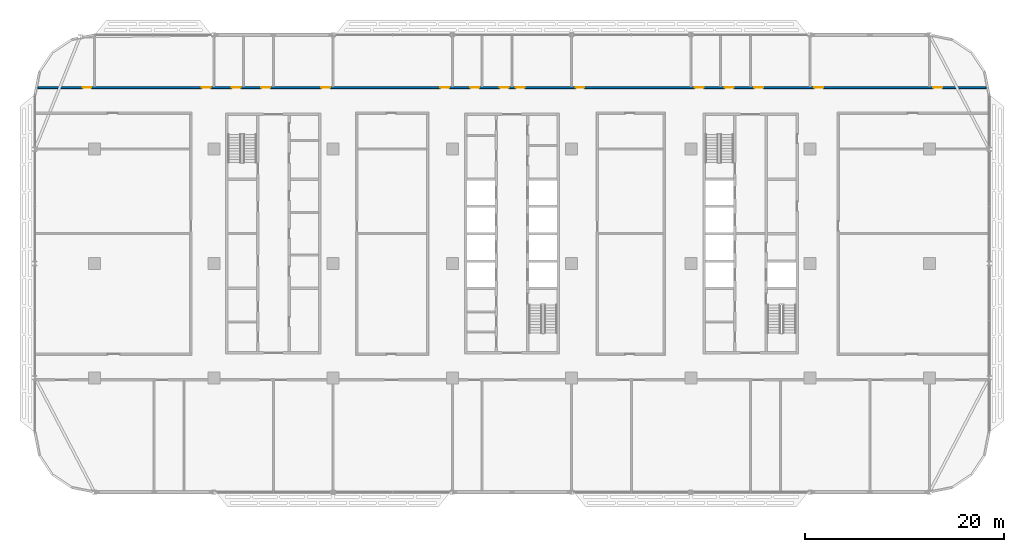
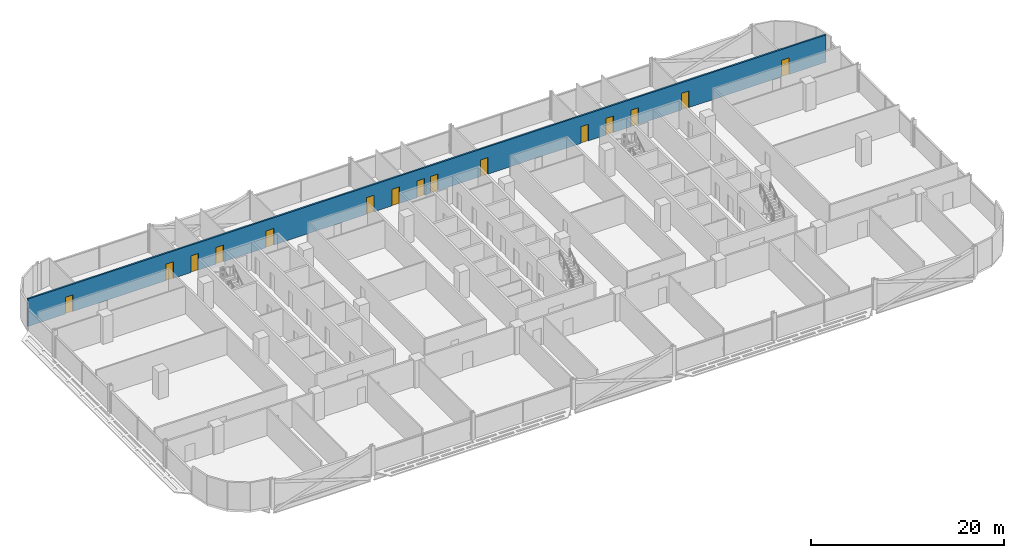
# One storey, part 14 of 27: 15 doors, 1 wall, 15 openings.
"""IFC4 building model written with IfcOpenShell, lengths in metres."""

from ifc_helpers import new_model, si_unit, direction, frame, frame_2d, origin, place, context, subcontext, project, spatial, rectangle, extrude, material, layer, layer_set, type_object, element, fill, save


model = new_model("IFC4")

# Units and contexts
model_context = context("Model", 3, precision=1e-05, world=origin(), true_north=direction((0.0, 1.0)))
body_context = subcontext(model_context, "Body", "Model", "MODEL_VIEW")
ifc_project = project(units=[si_unit("LENGTHUNIT", "METRE"), si_unit("AREAUNIT", "SQUARE_METRE"), si_unit("VOLUMEUNIT", "CUBIC_METRE"), si_unit("PLANEANGLEUNIT", "RADIAN"), si_unit("MASSUNIT", "GRAM", prefix="KILO")], contexts=[model_context])

# Site, building, storey
site_placement = place(None, origin())
site = spatial("IfcSite", under=ifc_project, at=site_placement, CompositionType="ELEMENT")
building_placement = place(site_placement, origin())
building = spatial("IfcBuilding", under=site, at=building_placement, Name="Mahtab Terrace Research Tower", CompositionType="ELEMENT")
storey_placement = place(building_placement, frame((0.0, 0.0, 163.0)))
storey = spatial("IfcBuildingStorey", under=building, at=storey_placement, Name="L38", CompositionType="ELEMENT", Elevation=163.0)

# Wall, openings, doors
ifc_material_1 = material(Name="Gypsum board corridor wall on steel studs", Category="steel")
ifc_layer = layer(ifc_material_1, 0.199951171875)
ifc_layer_set = layer_set([ifc_layer], Name="WALL CORRIDOR 200")
wall_type = type_object("IfcWallType", Name="WALL CORRIDOR 200", PredefinedType="PARTITIONING", material=ifc_layer_set)
wall_placement = place(storey_placement, frame((-47.707763671875, 17.699951171875, 0.0), z_axis=(0.0, 0.0, 1.0), x_axis=(1.0, 0.0, 0.0)))
wall = element("IfcWall", 1, at=wall_placement, inside=storey, type_object=wall_type, Name="L38-W028", PredefinedType="PARTITIONING", context=body_context, shape_type="SweptSolid", body=[
    extrude(rectangle(XDim=95.41552734375, YDim=0.199951171875, at=frame_2d((47.707763671875, 0.0))), origin(), (0.0, 0.0, 1.0), 3.4599609375),
])
opening_1_placement = place(wall_placement, frame((4.5, 0.0, 0.0)))
opening_1 = element("IfcOpeningElement", 2, at=opening_1_placement, cuts=wall, Name="Opening L38-126", PredefinedType="OPENING", context=body_context, shape_type="SweptSolid", body=[
    extrude(rectangle(XDim=0.89990234375, YDim=2.10009765625, at=frame_2d((0.449951171875, 1.050048828125))), frame((0.0, 0.10986328125, 0.0), z_axis=(0.0, -1.0, 0.0), x_axis=(1.0, 0.0, 0.0)), (0.0, 0.0, 1.0), 0.219970703125),
])
opening_2_placement = place(wall_placement, frame((16.5, 0.0, 0.0)))
opening_2 = element("IfcOpeningElement", 3, at=opening_2_placement, cuts=wall, Name="Opening L38-127", PredefinedType="OPENING", context=body_context, shape_type="SweptSolid", body=[
    extrude(rectangle(XDim=0.89990234375, YDim=2.10009765625, at=frame_2d((0.449951171875, 1.050048828125))), frame((0.0, 0.10986328125, 0.0), z_axis=(0.0, -1.0, 0.0), x_axis=(1.0, 0.0, 0.0)), (0.0, 0.0, 1.0), 0.219970703125),
])
opening_3_placement = place(wall_placement, frame((19.5, 0.0, 0.0)))
opening_3 = element("IfcOpeningElement", 4, at=opening_3_placement, cuts=wall, Name="Opening L38-128", PredefinedType="OPENING", context=body_context, shape_type="SweptSolid", body=[
    extrude(rectangle(XDim=0.89990234375, YDim=2.10009765625, at=frame_2d((0.449951171875, 1.050048828125))), frame((0.0, 0.10986328125, 0.0), z_axis=(0.0, -1.0, 0.0), x_axis=(1.0, 0.0, 0.0)), (0.0, 0.0, 1.0), 0.219970703125),
])
opening_4_placement = place(wall_placement, frame((22.5, 0.0, 0.0)))
opening_4 = element("IfcOpeningElement", 5, at=opening_4_placement, cuts=wall, Name="Opening L38-129", PredefinedType="OPENING", context=body_context, shape_type="SweptSolid", body=[
    extrude(rectangle(XDim=0.89990234375, YDim=2.10009765625, at=frame_2d((0.449951171875, 1.050048828125))), frame((0.0, 0.10986328125, 0.0), z_axis=(0.0, -1.0, 0.0), x_axis=(1.0, 0.0, 0.0)), (0.0, 0.0, 1.0), 0.219970703125),
])
opening_5_placement = place(wall_placement, frame((28.5, 0.0, 0.0)))
opening_5 = element("IfcOpeningElement", 6, at=opening_5_placement, cuts=wall, Name="Opening L38-130", PredefinedType="OPENING", context=body_context, shape_type="SweptSolid", body=[
    extrude(rectangle(XDim=0.89990234375, YDim=2.10009765625, at=frame_2d((0.449951171875, 1.050048828125))), frame((0.0, 0.10986328125, 0.0), z_axis=(0.0, -1.0, 0.0), x_axis=(1.0, 0.0, 0.0)), (0.0, 0.0, 1.0), 0.219970703125),
])
opening_6_placement = place(wall_placement, frame((40.5, 0.0, 0.0)))
opening_6 = element("IfcOpeningElement", 7, at=opening_6_placement, cuts=wall, Name="Opening L38-131", PredefinedType="OPENING", context=body_context, shape_type="SweptSolid", body=[
    extrude(rectangle(XDim=0.89990234375, YDim=2.10009765625, at=frame_2d((0.449951171875, 1.050048828125))), frame((0.0, 0.10986328125, 0.0), z_axis=(0.0, -1.0, 0.0), x_axis=(1.0, 0.0, 0.0)), (0.0, 0.0, 1.0), 0.219970703125),
])
opening_7_placement = place(wall_placement, frame((43.5, 0.0, 0.0)))
opening_7 = element("IfcOpeningElement", 8, at=opening_7_placement, cuts=wall, Name="Opening L38-132", PredefinedType="OPENING", context=body_context, shape_type="SweptSolid", body=[
    extrude(rectangle(XDim=0.89990234375, YDim=2.10009765625, at=frame_2d((0.449951171875, 1.050048828125))), frame((0.0, 0.10986328125, 0.0), z_axis=(0.0, -1.0, 0.0), x_axis=(1.0, 0.0, 0.0)), (0.0, 0.0, 1.0), 0.219970703125),
])
opening_8_placement = place(wall_placement, frame((46.5, 0.0, 0.0)))
opening_8 = element("IfcOpeningElement", 9, at=opening_8_placement, cuts=wall, Name="Opening L38-133", PredefinedType="OPENING", context=body_context, shape_type="SweptSolid", body=[
    extrude(rectangle(XDim=0.89990234375, YDim=2.10009765625, at=frame_2d((0.449951171875, 1.050048828125))), frame((0.0, 0.10986328125, 0.0), z_axis=(0.0, -1.0, 0.0), x_axis=(1.0, 0.0, 0.0)), (0.0, 0.0, 1.0), 0.219970703125),
])
opening_9_placement = place(wall_placement, frame((48.10009765625, 0.0, 0.0)))
opening_9 = element("IfcOpeningElement", 10, at=opening_9_placement, cuts=wall, Name="Opening L38-134", PredefinedType="OPENING", context=body_context, shape_type="SweptSolid", body=[
    extrude(rectangle(XDim=0.89990234375, YDim=2.10009765625, at=frame_2d((0.449951171875, 1.050048828125))), frame((0.0, 0.10986328125, 0.0), z_axis=(0.0, -1.0, 0.0), x_axis=(1.0, 0.0, 0.0)), (0.0, 0.0, 1.0), 0.219970703125),
])
opening_10_placement = place(wall_placement, frame((54.10009765625, 0.0, 0.0)))
opening_10 = element("IfcOpeningElement", 11, at=opening_10_placement, cuts=wall, Name="Opening L38-135", PredefinedType="OPENING", context=body_context, shape_type="SweptSolid", body=[
    extrude(rectangle(XDim=0.89990234375, YDim=2.10009765625, at=frame_2d((0.449951171875, 1.050048828125))), frame((0.0, 0.10986328125, 0.0), z_axis=(0.0, -1.0, 0.0), x_axis=(1.0, 0.0, 0.0)), (0.0, 0.0, 1.0), 0.219970703125),
])
opening_11_placement = place(wall_placement, frame((66.10009765625, 0.0, 0.0)))
opening_11 = element("IfcOpeningElement", 12, at=opening_11_placement, cuts=wall, Name="Opening L38-136", PredefinedType="OPENING", context=body_context, shape_type="SweptSolid", body=[
    extrude(rectangle(XDim=0.89990234375, YDim=2.10009765625, at=frame_2d((0.449951171875, 1.050048828125))), frame((0.0, 0.10986328125, 0.0), z_axis=(0.0, -1.0, 0.0), x_axis=(1.0, 0.0, 0.0)), (0.0, 0.0, 1.0), 0.219970703125),
])
opening_12_placement = place(wall_placement, frame((69.10009765625, 0.0, 0.0)))
opening_12 = element("IfcOpeningElement", 13, at=opening_12_placement, cuts=wall, Name="Opening L38-137", PredefinedType="OPENING", context=body_context, shape_type="SweptSolid", body=[
    extrude(rectangle(XDim=0.89990234375, YDim=2.10009765625, at=frame_2d((0.449951171875, 1.050048828125))), frame((0.0, 0.10986328125, 0.0), z_axis=(0.0, -1.0, 0.0), x_axis=(1.0, 0.0, 0.0)), (0.0, 0.0, 1.0), 0.219970703125),
])
opening_13_placement = place(wall_placement, frame((72.10009765625, 0.0, 0.0)))
opening_13 = element("IfcOpeningElement", 14, at=opening_13_placement, cuts=wall, Name="Opening L38-138", PredefinedType="OPENING", context=body_context, shape_type="SweptSolid", body=[
    extrude(rectangle(XDim=0.89990234375, YDim=2.10009765625, at=frame_2d((0.449951171875, 1.050048828125))), frame((0.0, 0.10986328125, 0.0), z_axis=(0.0, -1.0, 0.0), x_axis=(1.0, 0.0, 0.0)), (0.0, 0.0, 1.0), 0.219970703125),
])
opening_14_placement = place(wall_placement, frame((78.10009765625, 0.0, 0.0)))
opening_14 = element("IfcOpeningElement", 15, at=opening_14_placement, cuts=wall, Name="Opening L38-139", PredefinedType="OPENING", context=body_context, shape_type="SweptSolid", body=[
    extrude(rectangle(XDim=0.89990234375, YDim=2.10009765625, at=frame_2d((0.449951171875, 1.050048828125))), frame((0.0, 0.10986328125, 0.0), z_axis=(0.0, -1.0, 0.0), x_axis=(1.0, 0.0, 0.0)), (0.0, 0.0, 1.0), 0.219970703125),
])
opening_15_placement = place(wall_placement, frame((90.10009765625, 0.0, 0.0)))
opening_15 = element("IfcOpeningElement", 16, at=opening_15_placement, cuts=wall, Name="Opening L38-140", PredefinedType="OPENING", context=body_context, shape_type="SweptSolid", body=[
    extrude(rectangle(XDim=0.89990234375, YDim=2.10009765625, at=frame_2d((0.449951171875, 1.050048828125))), frame((0.0, 0.10986328125, 0.0), z_axis=(0.0, -1.0, 0.0), x_axis=(1.0, 0.0, 0.0)), (0.0, 0.0, 1.0), 0.219970703125),
])
ifc_material_2 = material(Name="Timber door leaf in steel frame", Category="steel")
door_type = type_object("IfcDoorType", Name="DOOR 0900X2100 FD30S", OperationType="SINGLE_SWING_LEFT", PredefinedType="DOOR", material=ifc_material_2)
door_1_placement = place(opening_1_placement, origin())
door_1 = element("IfcDoor", 17, at=door_1_placement, inside=storey, type_object=door_type, Name="Door L38-126", OperationType="SINGLE_SWING_LEFT", OverallHeight=2.10009765625, OverallWidth=0.89990234375, PredefinedType="DOOR", context=body_context, shape_type="SweptSolid", body=[
    extrude(rectangle(XDim=0.89990234375, YDim=2.10009765625, at=frame_2d((0.449951171875, 1.050048828125))), frame((0.0, 0.02490234375, 0.0), z_axis=(0.0, -1.0, 0.0), x_axis=(1.0, 0.0, 0.0)), (0.0, 0.0, 1.0), 0.050048828125),
])
fill(opening_1, door_1)
door_2_placement = place(opening_2_placement, origin())
door_2 = element("IfcDoor", 18, at=door_2_placement, inside=storey, type_object=door_type, Name="Door L38-127", OperationType="SINGLE_SWING_LEFT", OverallHeight=2.10009765625, OverallWidth=0.89990234375, PredefinedType="DOOR", context=body_context, shape_type="SweptSolid", body=[
    extrude(rectangle(XDim=0.89990234375, YDim=2.10009765625, at=frame_2d((0.449951171875, 1.050048828125))), frame((0.0, 0.02490234375, 0.0), z_axis=(0.0, -1.0, 0.0), x_axis=(1.0, 0.0, 0.0)), (0.0, 0.0, 1.0), 0.050048828125),
])
fill(opening_2, door_2)
door_3_placement = place(opening_3_placement, origin())
door_3 = element("IfcDoor", 19, at=door_3_placement, inside=storey, type_object=door_type, Name="Door L38-128", OperationType="SINGLE_SWING_LEFT", OverallHeight=2.10009765625, OverallWidth=0.89990234375, PredefinedType="DOOR", context=body_context, shape_type="SweptSolid", body=[
    extrude(rectangle(XDim=0.89990234375, YDim=2.10009765625, at=frame_2d((0.449951171875, 1.050048828125))), frame((0.0, 0.02490234375, 0.0), z_axis=(0.0, -1.0, 0.0), x_axis=(1.0, 0.0, 0.0)), (0.0, 0.0, 1.0), 0.050048828125),
])
fill(opening_3, door_3)
door_4_placement = place(opening_4_placement, origin())
door_4 = element("IfcDoor", 20, at=door_4_placement, inside=storey, type_object=door_type, Name="Door L38-129", OperationType="SINGLE_SWING_LEFT", OverallHeight=2.10009765625, OverallWidth=0.89990234375, PredefinedType="DOOR", context=body_context, shape_type="SweptSolid", body=[
    extrude(rectangle(XDim=0.89990234375, YDim=2.10009765625, at=frame_2d((0.449951171875, 1.050048828125))), frame((0.0, 0.02490234375, 0.0), z_axis=(0.0, -1.0, 0.0), x_axis=(1.0, 0.0, 0.0)), (0.0, 0.0, 1.0), 0.050048828125),
])
fill(opening_4, door_4)
door_5_placement = place(opening_5_placement, origin())
door_5 = element("IfcDoor", 21, at=door_5_placement, inside=storey, type_object=door_type, Name="Door L38-130", OperationType="SINGLE_SWING_LEFT", OverallHeight=2.10009765625, OverallWidth=0.89990234375, PredefinedType="DOOR", context=body_context, shape_type="SweptSolid", body=[
    extrude(rectangle(XDim=0.89990234375, YDim=2.10009765625, at=frame_2d((0.449951171875, 1.050048828125))), frame((0.0, 0.02490234375, 0.0), z_axis=(0.0, -1.0, 0.0), x_axis=(1.0, 0.0, 0.0)), (0.0, 0.0, 1.0), 0.050048828125),
])
fill(opening_5, door_5)
door_6_placement = place(opening_6_placement, origin())
door_6 = element("IfcDoor", 22, at=door_6_placement, inside=storey, type_object=door_type, Name="Door L38-131", OperationType="SINGLE_SWING_LEFT", OverallHeight=2.10009765625, OverallWidth=0.89990234375, PredefinedType="DOOR", context=body_context, shape_type="SweptSolid", body=[
    extrude(rectangle(XDim=0.89990234375, YDim=2.10009765625, at=frame_2d((0.449951171875, 1.050048828125))), frame((0.0, 0.02490234375, 0.0), z_axis=(0.0, -1.0, 0.0), x_axis=(1.0, 0.0, 0.0)), (0.0, 0.0, 1.0), 0.050048828125),
])
fill(opening_6, door_6)
door_7_placement = place(opening_7_placement, origin())
door_7 = element("IfcDoor", 23, at=door_7_placement, inside=storey, type_object=door_type, Name="Door L38-132", OperationType="SINGLE_SWING_LEFT", OverallHeight=2.10009765625, OverallWidth=0.89990234375, PredefinedType="DOOR", context=body_context, shape_type="SweptSolid", body=[
    extrude(rectangle(XDim=0.89990234375, YDim=2.10009765625, at=frame_2d((0.449951171875, 1.050048828125))), frame((0.0, 0.02490234375, 0.0), z_axis=(0.0, -1.0, 0.0), x_axis=(1.0, 0.0, 0.0)), (0.0, 0.0, 1.0), 0.050048828125),
])
fill(opening_7, door_7)
door_8_placement = place(opening_8_placement, origin())
door_8 = element("IfcDoor", 24, at=door_8_placement, inside=storey, type_object=door_type, Name="Door L38-133", OperationType="SINGLE_SWING_LEFT", OverallHeight=2.10009765625, OverallWidth=0.89990234375, PredefinedType="DOOR", context=body_context, shape_type="SweptSolid", body=[
    extrude(rectangle(XDim=0.89990234375, YDim=2.10009765625, at=frame_2d((0.449951171875, 1.050048828125))), frame((0.0, 0.02490234375, 0.0), z_axis=(0.0, -1.0, 0.0), x_axis=(1.0, 0.0, 0.0)), (0.0, 0.0, 1.0), 0.050048828125),
])
fill(opening_8, door_8)
door_9_placement = place(opening_9_placement, origin())
door_9 = element("IfcDoor", 25, at=door_9_placement, inside=storey, type_object=door_type, Name="Door L38-134", OperationType="SINGLE_SWING_RIGHT", OverallHeight=2.10009765625, OverallWidth=0.89990234375, PredefinedType="DOOR", context=body_context, shape_type="SweptSolid", body=[
    extrude(rectangle(XDim=0.89990234375, YDim=2.10009765625, at=frame_2d((0.449951171875, 1.050048828125))), frame((0.0, 0.02490234375, 0.0), z_axis=(0.0, -1.0, 0.0), x_axis=(1.0, 0.0, 0.0)), (0.0, 0.0, 1.0), 0.050048828125),
])
fill(opening_9, door_9)
door_10_placement = place(opening_10_placement, origin())
door_10 = element("IfcDoor", 26, at=door_10_placement, inside=storey, type_object=door_type, Name="Door L38-135", OperationType="SINGLE_SWING_RIGHT", OverallHeight=2.10009765625, OverallWidth=0.89990234375, PredefinedType="DOOR", context=body_context, shape_type="SweptSolid", body=[
    extrude(rectangle(XDim=0.89990234375, YDim=2.10009765625, at=frame_2d((0.449951171875, 1.050048828125))), frame((0.0, 0.02490234375, 0.0), z_axis=(0.0, -1.0, 0.0), x_axis=(1.0, 0.0, 0.0)), (0.0, 0.0, 1.0), 0.050048828125),
])
fill(opening_10, door_10)
door_11_placement = place(opening_11_placement, origin())
door_11 = element("IfcDoor", 27, at=door_11_placement, inside=storey, type_object=door_type, Name="Door L38-136", OperationType="SINGLE_SWING_RIGHT", OverallHeight=2.10009765625, OverallWidth=0.89990234375, PredefinedType="DOOR", context=body_context, shape_type="SweptSolid", body=[
    extrude(rectangle(XDim=0.89990234375, YDim=2.10009765625, at=frame_2d((0.449951171875, 1.050048828125))), frame((0.0, 0.02490234375, 0.0), z_axis=(0.0, -1.0, 0.0), x_axis=(1.0, 0.0, 0.0)), (0.0, 0.0, 1.0), 0.050048828125),
])
fill(opening_11, door_11)
door_12_placement = place(opening_12_placement, origin())
door_12 = element("IfcDoor", 28, at=door_12_placement, inside=storey, type_object=door_type, Name="Door L38-137", OperationType="SINGLE_SWING_RIGHT", OverallHeight=2.10009765625, OverallWidth=0.89990234375, PredefinedType="DOOR", context=body_context, shape_type="SweptSolid", body=[
    extrude(rectangle(XDim=0.89990234375, YDim=2.10009765625, at=frame_2d((0.449951171875, 1.050048828125))), frame((0.0, 0.02490234375, 0.0), z_axis=(0.0, -1.0, 0.0), x_axis=(1.0, 0.0, 0.0)), (0.0, 0.0, 1.0), 0.050048828125),
])
fill(opening_12, door_12)
door_13_placement = place(opening_13_placement, origin())
door_13 = element("IfcDoor", 29, at=door_13_placement, inside=storey, type_object=door_type, Name="Door L38-138", OperationType="SINGLE_SWING_RIGHT", OverallHeight=2.10009765625, OverallWidth=0.89990234375, PredefinedType="DOOR", context=body_context, shape_type="SweptSolid", body=[
    extrude(rectangle(XDim=0.89990234375, YDim=2.10009765625, at=frame_2d((0.449951171875, 1.050048828125))), frame((0.0, 0.02490234375, 0.0), z_axis=(0.0, -1.0, 0.0), x_axis=(1.0, 0.0, 0.0)), (0.0, 0.0, 1.0), 0.050048828125),
])
fill(opening_13, door_13)
door_14_placement = place(opening_14_placement, origin())
door_14 = element("IfcDoor", 30, at=door_14_placement, inside=storey, type_object=door_type, Name="Door L38-139", OperationType="SINGLE_SWING_RIGHT", OverallHeight=2.10009765625, OverallWidth=0.89990234375, PredefinedType="DOOR", context=body_context, shape_type="SweptSolid", body=[
    extrude(rectangle(XDim=0.89990234375, YDim=2.10009765625, at=frame_2d((0.449951171875, 1.050048828125))), frame((0.0, 0.02490234375, 0.0), z_axis=(0.0, -1.0, 0.0), x_axis=(1.0, 0.0, 0.0)), (0.0, 0.0, 1.0), 0.050048828125),
])
fill(opening_14, door_14)
door_15_placement = place(opening_15_placement, origin())
door_15 = element("IfcDoor", 31, at=door_15_placement, inside=storey, type_object=door_type, Name="Door L38-140", OperationType="SINGLE_SWING_RIGHT", OverallHeight=2.10009765625, OverallWidth=0.89990234375, PredefinedType="DOOR", context=body_context, shape_type="SweptSolid", body=[
    extrude(rectangle(XDim=0.89990234375, YDim=2.10009765625, at=frame_2d((0.449951171875, 1.050048828125))), frame((0.0, 0.02490234375, 0.0), z_axis=(0.0, -1.0, 0.0), x_axis=(1.0, 0.0, 0.0)), (0.0, 0.0, 1.0), 0.050048828125),
])
fill(opening_15, door_15)

save(model, "model.ifc")
